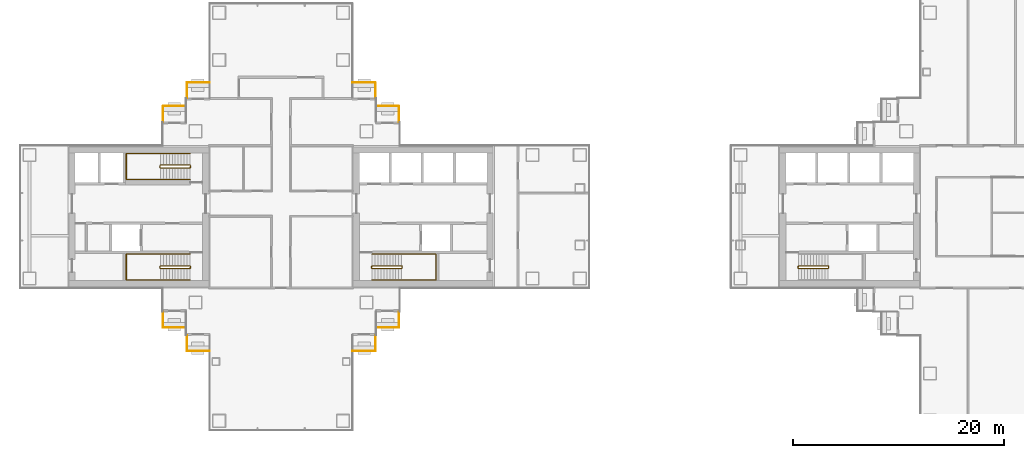
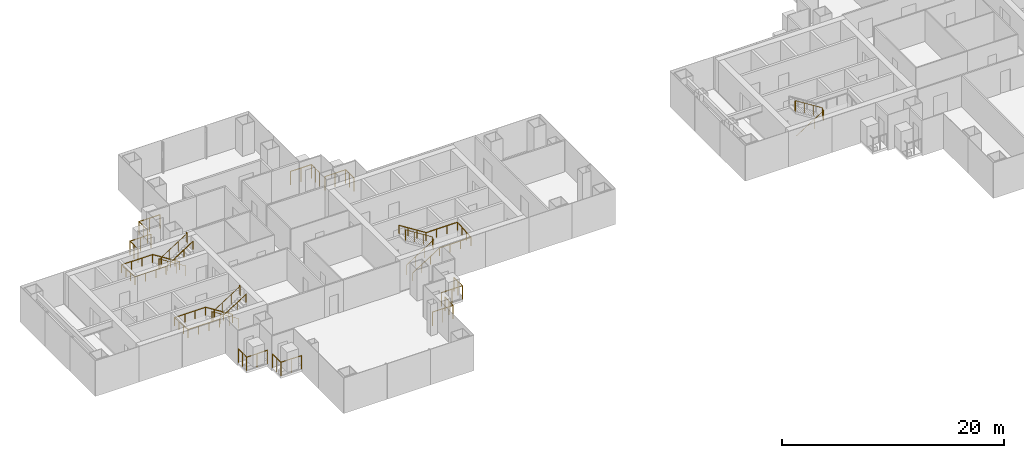
# One storey, part 18 of 20: 15 railings.
"""IFC4 building model written with IfcOpenShell, lengths in metres."""

from ifc_helpers import new_model, si_unit, direction, frame, origin, origin_2d, place, context, subcontext, project, spatial, circle, extrude, material, type_object, element, save


model = new_model("IFC4")

# Units and contexts
model_context = context("Model", 3, precision=1e-05, world=origin(), true_north=direction((0.0, 1.0)))
body_context = subcontext(model_context, "Body", "Model", "MODEL_VIEW")
ifc_project = project(units=[si_unit("LENGTHUNIT", "METRE"), si_unit("AREAUNIT", "SQUARE_METRE"), si_unit("VOLUMEUNIT", "CUBIC_METRE"), si_unit("PLANEANGLEUNIT", "RADIAN"), si_unit("MASSUNIT", "GRAM", prefix="KILO")], contexts=[model_context])

# Site, building, storey
site_placement = place(None, origin())
site = spatial("IfcSite", under=ifc_project, at=site_placement, CompositionType="ELEMENT")
building_placement = place(site_placement, origin())
building = spatial("IfcBuilding", under=site, at=building_placement, Name="Shamsa Quay Exchange Towers", CompositionType="ELEMENT")
storey_placement = place(building_placement, frame((0.0, 0.0, 124.800048828125)))
storey = spatial("IfcBuildingStorey", under=building, at=storey_placement, Name="L29", CompositionType="ELEMENT", Elevation=124.800048828125)

# Railings
ifc_material_1 = material(Name="Steel S355, black powder-coated", Category="steel")
railing_type_1 = type_object("IfcRailingType", Name="BALCONY GUARD 1500", PredefinedType="GUARDRAIL", material=ifc_material_1)
for number, where, name in (
    (1, (-22.550048828125, 9.02099609375, 0.0), "Balcony guard T1-PKEN L29"),
    (2, (-24.800048828125, 11.27099609375, 0.0), "Balcony guard T1-PKEN L29"),
):
    element("IfcRailing", number, at=place(storey_placement, frame(where)), inside=storey, type_object=railing_type_1, Name=name, PredefinedType="GUARDRAIL", context=body_context, shape_type="SweptSolid", body=[
        extrude(circle(Radius=0.02392578125, at=origin_2d()), frame((0.0, 0.0, 1.47607421875), z_axis=(0.0, 1.0, 0.0), x_axis=(-1.0, 0.0, 0.0)), (0.0, 0.0, 1.0), 1.47900390625),
        extrude(circle(Radius=0.02392578125, at=origin_2d()), frame((0.0, 1.47900390625, 1.47607421875), z_axis=(-1.0, 0.0, 0.0), x_axis=(0.0, -1.0, 0.0)), (0.0, 0.0, 1.0), 2.161865234375),
        extrude(circle(Radius=0.02099609375, at=origin_2d()), origin(), (0.0, 0.0, 1.0), 1.451904296875),
        extrude(circle(Radius=0.02099609375, at=origin_2d()), frame((0.0, 0.739501953125, 0.0)), (0.0, 0.0, 1.0), 1.451904296875),
        extrude(circle(Radius=0.02099609375, at=origin_2d()), frame((0.0, 1.47900390625, 0.0)), (0.0, 0.0, 1.0), 1.451904296875),
        extrude(circle(Radius=0.02099609375, at=origin_2d()), frame((-1.0810546875, 1.47900390625, 0.0)), (0.0, 0.0, 1.0), 1.451904296875),
        extrude(circle(Radius=0.02099609375, at=origin_2d()), frame((-2.161865234375, 1.47900390625, 0.0)), (0.0, 0.0, 1.0), 1.451904296875),
    ])
for number, where, name in (
    (3, (-24.7119140625, -10.5, 0.0), "Balcony guard T1-PKES L29"),
    (4, (-26.9619140625, -12.75, 0.0), "Balcony guard T1-PKES L29"),
):
    element("IfcRailing", number, at=place(storey_placement, frame(where)), inside=storey, type_object=railing_type_1, Name=name, PredefinedType="GUARDRAIL", context=body_context, shape_type="SweptSolid", body=[
        extrude(circle(Radius=0.02392578125, at=origin_2d()), frame((0.0, 0.0, 1.47607421875), z_axis=(1.0, 0.0, 0.0), x_axis=(0.0, 1.0, 0.0)), (0.0, 0.0, 1.0), 2.161865234375),
        extrude(circle(Radius=0.02392578125, at=origin_2d()), frame((2.161865234375, 0.0, 1.47607421875), z_axis=(0.0, 1.0, 0.0), x_axis=(-1.0, 0.0, 0.0)), (0.0, 0.0, 1.0), 1.47900390625),
        extrude(circle(Radius=0.02099609375, at=origin_2d()), origin(), (0.0, 0.0, 1.0), 1.451904296875),
        extrude(circle(Radius=0.02099609375, at=origin_2d()), frame((1.0810546875, 0.0, 0.0)), (0.0, 0.0, 1.0), 1.451904296875),
        extrude(circle(Radius=0.02099609375, at=origin_2d()), frame((2.161865234375, 0.0, 0.0)), (0.0, 0.0, 1.0), 1.451904296875),
        extrude(circle(Radius=0.02099609375, at=origin_2d()), frame((2.161865234375, 0.739501953125, 0.0)), (0.0, 0.0, 1.0), 1.451904296875),
        extrude(circle(Radius=0.02099609375, at=origin_2d()), frame((2.161865234375, 1.47900390625, 0.0)), (0.0, 0.0, 1.0), 1.451904296875),
    ])
for number, where, name in (
    (5, (-40.5380859375, 12.75, 0.0), "Balcony guard T1-PKWN L29"),
    (6, (-42.7880859375, 10.5, 0.0), "Balcony guard T1-PKWN L29"),
):
    element("IfcRailing", number, at=place(storey_placement, frame(where)), inside=storey, type_object=railing_type_1, Name=name, PredefinedType="GUARDRAIL", context=body_context, shape_type="SweptSolid", body=[
        extrude(circle(Radius=0.02392578125, at=origin_2d()), frame((0.0, 0.0, 1.47607421875), z_axis=(-1.0, 0.0, 0.0), x_axis=(0.0, -1.0, 0.0)), (0.0, 0.0, 1.0), 2.161865234375),
        extrude(circle(Radius=0.02392578125, at=origin_2d()), frame((-2.161865234375, 0.0, 1.47607421875), z_axis=(0.0, -1.0, 0.0), x_axis=(1.0, 0.0, 0.0)), (0.0, 0.0, 1.0), 1.47900390625),
        extrude(circle(Radius=0.02099609375, at=origin_2d()), origin(), (0.0, 0.0, 1.0), 1.451904296875),
        extrude(circle(Radius=0.02099609375, at=origin_2d()), frame((-1.0810546875, 0.0, 0.0)), (0.0, 0.0, 1.0), 1.451904296875),
        extrude(circle(Radius=0.02099609375, at=origin_2d()), frame((-2.161865234375, 0.0, 0.0)), (0.0, 0.0, 1.0), 1.451904296875),
        extrude(circle(Radius=0.02099609375, at=origin_2d()), frame((-2.161865234375, -0.739501953125, 0.0)), (0.0, 0.0, 1.0), 1.451904296875),
        extrude(circle(Radius=0.02099609375, at=origin_2d()), frame((-2.161865234375, -1.47900390625, 0.0)), (0.0, 0.0, 1.0), 1.451904296875),
    ])
for number, where, name in (
    (7, (-44.949951171875, -9.02099609375, 0.0), "Balcony guard T1-PKWS L29"),
    (8, (-42.699951171875, -11.27099609375, 0.0), "Balcony guard T1-PKWS L29"),
):
    element("IfcRailing", number, at=place(storey_placement, frame(where)), inside=storey, type_object=railing_type_1, Name=name, PredefinedType="GUARDRAIL", context=body_context, shape_type="SweptSolid", body=[
        extrude(circle(Radius=0.02392578125, at=origin_2d()), frame((0.0, 0.0, 1.47607421875), z_axis=(0.0, -1.0, 0.0), x_axis=(1.0, 0.0, 0.0)), (0.0, 0.0, 1.0), 1.47900390625),
        extrude(circle(Radius=0.02392578125, at=origin_2d()), frame((0.0, -1.47900390625, 1.47607421875), z_axis=(1.0, 0.0, 0.0), x_axis=(0.0, 1.0, 0.0)), (0.0, 0.0, 1.0), 2.161865234375),
        extrude(circle(Radius=0.02099609375, at=origin_2d()), origin(), (0.0, 0.0, 1.0), 1.451904296875),
        extrude(circle(Radius=0.02099609375, at=origin_2d()), frame((0.0, -0.739501953125, 0.0)), (0.0, 0.0, 1.0), 1.451904296875),
        extrude(circle(Radius=0.02099609375, at=origin_2d()), frame((0.0, -1.47900390625, 0.0)), (0.0, 0.0, 1.0), 1.451904296875),
        extrude(circle(Radius=0.02099609375, at=origin_2d()), frame((1.0810546875, -1.47900390625, 0.0)), (0.0, 0.0, 1.0), 1.451904296875),
        extrude(circle(Radius=0.02099609375, at=origin_2d()), frame((2.161865234375, -1.47900390625, 0.0)), (0.0, 0.0, 1.0), 1.451904296875),
    ])
ifc_material_2 = material(Name="Stainless steel", Category="steel")
railing_type_2 = type_object("IfcRailingType", Name="STAIR GUARD 1100", PredefinedType="GUARDRAIL", material=ifc_material_2)
railing_1_placement = place(storey_placement, frame((-25.10009765625, -4.89990234375, 0.17724609375)))
element("IfcRailing", 9, at=railing_1_placement, inside=storey, type_object=railing_type_2, Name="L29 ST1 stair guard 1", PredefinedType="GUARDRAIL", context=body_context, shape_type="SweptSolid", body=[
    extrude(circle(Radius=0.02392578125, at=origin_2d()), frame((0.0, 0.0, 1.076171875), z_axis=(0.844908973607, 0.0, 0.534910110503), x_axis=(0.0, 1.0, 0.0)), (0.0, 0.0, 1.0), 3.31396484375),
    extrude(circle(Radius=0.02392578125, at=origin_2d()), frame((2.800048828125, 0.0, 2.8486328125), z_axis=(0.708833529934, 0.705375805398, 0.0), x_axis=(-0.705375805398, 0.708833529934, 0.0)), (0.0, 0.0, 1.0), 0.070556640625),
    extrude(circle(Radius=0.02392578125, at=origin_2d()), frame((2.85009765625, 0.0498046875, 2.8486328125), z_axis=(0.0, 1.0, 0.0), x_axis=(-1.0, 0.0, 0.0)), (0.0, 0.0, 1.0), 0.150146484375),
    extrude(circle(Radius=0.02392578125, at=origin_2d()), frame((2.85009765625, 0.199951171875, 2.8486328125), z_axis=(-0.262233686654, 0.262233686654, 0.928691007369), x_axis=(-0.707106781187, -0.707106781187, 0.0)), (0.0, 0.0, 1.0), 0.19091796875),
    extrude(circle(Radius=0.02392578125, at=origin_2d()), frame((2.800048828125, 0.25, 3.02587890625), z_axis=(-0.844908973607, 0.0, 0.534910110503), x_axis=(0.0, -1.0, 0.0)), (0.0, 0.0, 1.0), 3.31396484375),
    extrude(circle(Radius=0.02392578125, at=origin_2d()), frame((0.0, 0.25, 4.798828125), z_axis=(-0.24142163986, -0.970420317083, 0.0), x_axis=(0.970420317083, -0.24142163986, 0.0)), (0.0, 0.0, 1.0), 0.206298828125),
    extrude(circle(Radius=0.02392578125, at=origin_2d()), frame((-0.0498046875, 0.0498046875, 4.798828125), z_axis=(0.0, 1.0, 0.0), x_axis=(-1.0, 0.0, 0.0)), (0.0, 0.0, 1.0), 0.150146484375),
    extrude(circle(Radius=0.02099609375, at=origin_2d()), origin(), (0.0, 0.0, 1.0), 1.052001953125),
    extrude(circle(Radius=0.02099609375, at=origin_2d()), frame((0.933349609375, 0.0, 0.5908203125)), (0.0, 0.0, 1.0), 1.052001953125),
    extrude(circle(Radius=0.02099609375, at=origin_2d()), frame((1.86669921875, 0.0, 1.181884765625)), (0.0, 0.0, 1.0), 1.052001953125),
    extrude(circle(Radius=0.02099609375, at=origin_2d()), frame((2.800048828125, 0.0, 1.772705078125)), (0.0, 0.0, 1.0), 1.052001953125),
    extrude(circle(Radius=0.02099609375, at=origin_2d()), frame((2.85009765625, 0.0498046875, 1.772705078125)), (0.0, 0.0, 1.0), 1.052001953125),
    extrude(circle(Radius=0.02099609375, at=origin_2d()), frame((2.85009765625, 0.199951171875, 1.772705078125)), (0.0, 0.0, 1.0), 1.052001953125),
    extrude(circle(Radius=0.02099609375, at=origin_2d()), frame((2.800048828125, 0.25, 1.949951171875)), (0.0, 0.0, 1.0), 1.052001953125),
    extrude(circle(Radius=0.02099609375, at=origin_2d()), frame((1.86669921875, 0.25, 2.540771484375)), (0.0, 0.0, 1.0), 1.052001953125),
    extrude(circle(Radius=0.02099609375, at=origin_2d()), frame((0.933349609375, 0.25, 3.1318359375)), (0.0, 0.0, 1.0), 1.052001953125),
    extrude(circle(Radius=0.02099609375, at=origin_2d()), frame((0.0, 0.25, 3.72265625)), (0.0, 0.0, 1.0), 1.052001953125),
    extrude(circle(Radius=0.02099609375, at=origin_2d()), frame((-0.0498046875, 0.0498046875, 3.72265625)), (0.0, 0.0, 1.0), 1.052001953125),
    extrude(circle(Radius=0.02099609375, at=origin_2d()), frame((-0.0498046875, 0.199951171875, 3.72265625)), (0.0, 0.0, 1.0), 1.052001953125),
])
railing_2_placement = place(storey_placement, frame((-42.39990234375, -4.64990234375, 0.17724609375)))
element("IfcRailing", 10, at=railing_2_placement, inside=storey, type_object=railing_type_2, Name="L29 ST2 stair guard 1", PredefinedType="GUARDRAIL", context=body_context, shape_type="SweptSolid", body=[
    extrude(circle(Radius=0.02392578125, at=origin_2d()), frame((0.0, 0.0, 1.076171875), z_axis=(-0.844908973607, 0.0, 0.534910110503), x_axis=(0.0, -1.0, 0.0)), (0.0, 0.0, 1.0), 3.31396484375),
    extrude(circle(Radius=0.02392578125, at=origin_2d()), frame((-2.800048828125, 0.0, 2.8486328125), z_axis=(-0.707106781187, -0.707106781187, 0.0), x_axis=(0.707106781187, -0.707106781187, 0.0)), (0.0, 0.0, 1.0), 0.07080078125),
    extrude(circle(Radius=0.02392578125, at=origin_2d()), frame((-2.85009765625, -0.050048828125, 2.8486328125), z_axis=(0.0, -1.0, 0.0), x_axis=(1.0, 0.0, 0.0)), (0.0, 0.0, 1.0), 0.150146484375),
    extrude(circle(Radius=0.02392578125, at=origin_2d()), frame((-2.85009765625, -0.2001953125, 2.8486328125), z_axis=(0.262321481514, -0.261041864531, 0.929001929653), x_axis=(0.705375805398, 0.708833529934, 0.0)), (0.0, 0.0, 1.0), 0.190673828125),
    extrude(circle(Radius=0.02392578125, at=origin_2d()), frame((-2.800048828125, -0.25, 3.02587890625), z_axis=(0.844908973607, 0.0, 0.534910110503), x_axis=(0.0, 1.0, 0.0)), (0.0, 0.0, 1.0), 3.31396484375),
    extrude(circle(Radius=0.02392578125, at=origin_2d()), frame((0.0, -0.25, 4.798828125), z_axis=(0.241699205484, 0.970351222016, 0.0), x_axis=(-0.970351222016, 0.241699205484, 0.0)), (0.0, 0.0, 1.0), 0.2060546875),
    extrude(circle(Radius=0.02392578125, at=origin_2d()), frame((0.0498046875, -0.050048828125, 4.798828125), z_axis=(0.0, -1.0, 0.0), x_axis=(1.0, 0.0, 0.0)), (0.0, 0.0, 1.0), 0.150146484375),
    extrude(circle(Radius=0.02099609375, at=origin_2d()), origin(), (0.0, 0.0, 1.0), 1.052001953125),
    extrude(circle(Radius=0.02099609375, at=origin_2d()), frame((-0.933349609375, 0.0, 0.5908203125)), (0.0, 0.0, 1.0), 1.052001953125),
    extrude(circle(Radius=0.02099609375, at=origin_2d()), frame((-1.86669921875, 0.0, 1.181884765625)), (0.0, 0.0, 1.0), 1.052001953125),
    extrude(circle(Radius=0.02099609375, at=origin_2d()), frame((-2.800048828125, 0.0, 1.772705078125)), (0.0, 0.0, 1.0), 1.052001953125),
    extrude(circle(Radius=0.02099609375, at=origin_2d()), frame((-2.85009765625, -0.050048828125, 1.772705078125)), (0.0, 0.0, 1.0), 1.052001953125),
    extrude(circle(Radius=0.02099609375, at=origin_2d()), frame((-2.85009765625, -0.2001953125, 1.772705078125)), (0.0, 0.0, 1.0), 1.052001953125),
    extrude(circle(Radius=0.02099609375, at=origin_2d()), frame((-2.800048828125, -0.25, 1.949951171875)), (0.0, 0.0, 1.0), 1.052001953125),
    extrude(circle(Radius=0.02099609375, at=origin_2d()), frame((-1.86669921875, -0.25, 2.540771484375)), (0.0, 0.0, 1.0), 1.052001953125),
    extrude(circle(Radius=0.02099609375, at=origin_2d()), frame((-0.933349609375, -0.25, 3.1318359375)), (0.0, 0.0, 1.0), 1.052001953125),
    extrude(circle(Radius=0.02099609375, at=origin_2d()), frame((0.0, -0.25, 3.72265625)), (0.0, 0.0, 1.0), 1.052001953125),
    extrude(circle(Radius=0.02099609375, at=origin_2d()), frame((0.0498046875, -0.050048828125, 3.72265625)), (0.0, 0.0, 1.0), 1.052001953125),
    extrude(circle(Radius=0.02099609375, at=origin_2d()), frame((0.0498046875, -0.2001953125, 3.72265625)), (0.0, 0.0, 1.0), 1.052001953125),
])
railing_3_placement = place(storey_placement, frame((-42.39990234375, 4.89990234375, 0.17724609375)))
element("IfcRailing", 11, at=railing_3_placement, inside=storey, type_object=railing_type_2, Name="L29 ST3 stair guard 1", PredefinedType="GUARDRAIL", context=body_context, shape_type="SweptSolid", body=[
    extrude(circle(Radius=0.02392578125, at=origin_2d()), frame((0.0, 0.0, 1.076171875), z_axis=(-0.844908973607, 0.0, 0.534910110503), x_axis=(0.0, -1.0, 0.0)), (0.0, 0.0, 1.0), 3.31396484375),
    extrude(circle(Radius=0.02392578125, at=origin_2d()), frame((-2.800048828125, 0.0, 2.8486328125), z_axis=(-0.708833529934, -0.705375805398, 0.0), x_axis=(0.705375805398, -0.708833529934, 0.0)), (0.0, 0.0, 1.0), 0.070556640625),
    extrude(circle(Radius=0.02392578125, at=origin_2d()), frame((-2.85009765625, -0.0498046875, 2.8486328125), z_axis=(0.0, -1.0, 0.0), x_axis=(1.0, 0.0, 0.0)), (0.0, 0.0, 1.0), 0.150146484375),
    extrude(circle(Radius=0.02392578125, at=origin_2d()), frame((-2.85009765625, -0.199951171875, 2.8486328125), z_axis=(0.262233686654, -0.262233686654, 0.928691007369), x_axis=(0.707106781187, 0.707106781187, 0.0)), (0.0, 0.0, 1.0), 0.19091796875),
    extrude(circle(Radius=0.02392578125, at=origin_2d()), frame((-2.800048828125, -0.25, 3.02587890625), z_axis=(0.844908973607, 0.0, 0.534910110503), x_axis=(0.0, 1.0, 0.0)), (0.0, 0.0, 1.0), 3.31396484375),
    extrude(circle(Radius=0.02392578125, at=origin_2d()), frame((0.0, -0.25, 4.798828125), z_axis=(0.24142163986, 0.970420317083, 0.0), x_axis=(-0.970420317083, 0.24142163986, 0.0)), (0.0, 0.0, 1.0), 0.206298828125),
    extrude(circle(Radius=0.02392578125, at=origin_2d()), frame((0.0498046875, -0.0498046875, 4.798828125), z_axis=(0.0, -1.0, 0.0), x_axis=(1.0, 0.0, 0.0)), (0.0, 0.0, 1.0), 0.150146484375),
    extrude(circle(Radius=0.02099609375, at=origin_2d()), origin(), (0.0, 0.0, 1.0), 1.052001953125),
    extrude(circle(Radius=0.02099609375, at=origin_2d()), frame((-0.933349609375, 0.0, 0.5908203125)), (0.0, 0.0, 1.0), 1.052001953125),
    extrude(circle(Radius=0.02099609375, at=origin_2d()), frame((-1.86669921875, 0.0, 1.181884765625)), (0.0, 0.0, 1.0), 1.052001953125),
    extrude(circle(Radius=0.02099609375, at=origin_2d()), frame((-2.800048828125, 0.0, 1.772705078125)), (0.0, 0.0, 1.0), 1.052001953125),
    extrude(circle(Radius=0.02099609375, at=origin_2d()), frame((-2.85009765625, -0.0498046875, 1.772705078125)), (0.0, 0.0, 1.0), 1.052001953125),
    extrude(circle(Radius=0.02099609375, at=origin_2d()), frame((-2.85009765625, -0.199951171875, 1.772705078125)), (0.0, 0.0, 1.0), 1.052001953125),
    extrude(circle(Radius=0.02099609375, at=origin_2d()), frame((-2.800048828125, -0.25, 1.949951171875)), (0.0, 0.0, 1.0), 1.052001953125),
    extrude(circle(Radius=0.02099609375, at=origin_2d()), frame((-1.86669921875, -0.25, 2.540771484375)), (0.0, 0.0, 1.0), 1.052001953125),
    extrude(circle(Radius=0.02099609375, at=origin_2d()), frame((-0.933349609375, -0.25, 3.1318359375)), (0.0, 0.0, 1.0), 1.052001953125),
    extrude(circle(Radius=0.02099609375, at=origin_2d()), frame((0.0, -0.25, 3.72265625)), (0.0, 0.0, 1.0), 1.052001953125),
    extrude(circle(Radius=0.02099609375, at=origin_2d()), frame((0.0498046875, -0.0498046875, 3.72265625)), (0.0, 0.0, 1.0), 1.052001953125),
    extrude(circle(Radius=0.02099609375, at=origin_2d()), frame((0.0498046875, -0.199951171875, 3.72265625)), (0.0, 0.0, 1.0), 1.052001953125),
])
railing_4_placement = place(storey_placement, frame((15.39990234375, -4.89990234375, 0.17724609375)))
element("IfcRailing", 12, at=railing_4_placement, inside=storey, type_object=railing_type_2, Name="L29 ST4 stair guard 1", PredefinedType="GUARDRAIL", context=body_context, shape_type="SweptSolid", body=[
    extrude(circle(Radius=0.02392578125, at=origin_2d()), frame((0.0, 0.0, 1.076171875), z_axis=(0.844908973607, 0.0, 0.534910110503), x_axis=(0.0, 1.0, 0.0)), (0.0, 0.0, 1.0), 3.31396484375),
    extrude(circle(Radius=0.02392578125, at=origin_2d()), frame((2.800048828125, 0.0, 2.8486328125), z_axis=(0.708833529934, 0.705375805398, 0.0), x_axis=(-0.705375805398, 0.708833529934, 0.0)), (0.0, 0.0, 1.0), 0.070556640625),
    extrude(circle(Radius=0.02392578125, at=origin_2d()), frame((2.85009765625, 0.0498046875, 2.8486328125), z_axis=(0.0, 1.0, 0.0), x_axis=(-1.0, 0.0, 0.0)), (0.0, 0.0, 1.0), 0.150146484375),
    extrude(circle(Radius=0.02392578125, at=origin_2d()), frame((2.85009765625, 0.199951171875, 2.8486328125), z_axis=(-0.262233686654, 0.262233686654, 0.928691007369), x_axis=(-0.707106781187, -0.707106781187, 0.0)), (0.0, 0.0, 1.0), 0.19091796875),
    extrude(circle(Radius=0.02392578125, at=origin_2d()), frame((2.800048828125, 0.25, 3.02587890625), z_axis=(-0.844908973607, 0.0, 0.534910110503), x_axis=(0.0, -1.0, 0.0)), (0.0, 0.0, 1.0), 3.31396484375),
    extrude(circle(Radius=0.02392578125, at=origin_2d()), frame((0.0, 0.25, 4.798828125), z_axis=(-0.24142163986, -0.970420317083, 0.0), x_axis=(0.970420317083, -0.24142163986, 0.0)), (0.0, 0.0, 1.0), 0.206298828125),
    extrude(circle(Radius=0.02392578125, at=origin_2d()), frame((-0.0498046875, 0.0498046875, 4.798828125), z_axis=(0.0, 1.0, 0.0), x_axis=(-1.0, 0.0, 0.0)), (0.0, 0.0, 1.0), 0.150146484375),
    extrude(circle(Radius=0.02099609375, at=origin_2d()), origin(), (0.0, 0.0, 1.0), 1.052001953125),
    extrude(circle(Radius=0.02099609375, at=origin_2d()), frame((0.933349609375, 0.0, 0.5908203125)), (0.0, 0.0, 1.0), 1.052001953125),
    extrude(circle(Radius=0.02099609375, at=origin_2d()), frame((1.86669921875, 0.0, 1.181884765625)), (0.0, 0.0, 1.0), 1.052001953125),
    extrude(circle(Radius=0.02099609375, at=origin_2d()), frame((2.800048828125, 0.0, 1.772705078125)), (0.0, 0.0, 1.0), 1.052001953125),
    extrude(circle(Radius=0.02099609375, at=origin_2d()), frame((2.85009765625, 0.0498046875, 1.772705078125)), (0.0, 0.0, 1.0), 1.052001953125),
    extrude(circle(Radius=0.02099609375, at=origin_2d()), frame((2.85009765625, 0.199951171875, 1.772705078125)), (0.0, 0.0, 1.0), 1.052001953125),
    extrude(circle(Radius=0.02099609375, at=origin_2d()), frame((2.800048828125, 0.25, 1.949951171875)), (0.0, 0.0, 1.0), 1.052001953125),
    extrude(circle(Radius=0.02099609375, at=origin_2d()), frame((1.86669921875, 0.25, 2.540771484375)), (0.0, 0.0, 1.0), 1.052001953125),
    extrude(circle(Radius=0.02099609375, at=origin_2d()), frame((0.933349609375, 0.25, 3.1318359375)), (0.0, 0.0, 1.0), 1.052001953125),
    extrude(circle(Radius=0.02099609375, at=origin_2d()), frame((0.0, 0.25, 3.72265625)), (0.0, 0.0, 1.0), 1.052001953125),
    extrude(circle(Radius=0.02099609375, at=origin_2d()), frame((-0.0498046875, 0.0498046875, 3.72265625)), (0.0, 0.0, 1.0), 1.052001953125),
    extrude(circle(Radius=0.02099609375, at=origin_2d()), frame((-0.0498046875, 0.199951171875, 3.72265625)), (0.0, 0.0, 1.0), 1.052001953125),
])
railing_type_3 = type_object("IfcRailingType", Name="STAIR HANDRAIL 900", PredefinedType="HANDRAIL", material=ifc_material_2)
railing_5_placement = place(storey_placement, frame((-25.10009765625, -6.0, 0.17724609375)))
element("IfcRailing", 13, at=railing_5_placement, inside=storey, type_object=railing_type_3, Name="L29 ST1 stair handrail 1", PredefinedType="HANDRAIL", context=body_context, shape_type="SweptSolid", body=[
    extrude(circle(Radius=0.02392578125, at=origin_2d()), frame((0.0, 0.0, 0.8759765625), z_axis=(0.844908973607, 0.0, 0.534910110503), x_axis=(0.0, 1.0, 0.0)), (0.0, 0.0, 1.0), 3.31396484375),
    extrude(circle(Radius=0.02392578125, at=origin_2d()), frame((2.800048828125, 0.0, 2.6484375), z_axis=(1.0, 0.0, 0.0), x_axis=(0.0, 1.0, 0.0)), (0.0, 0.0, 1.0), 3.25),
    extrude(circle(Radius=0.02392578125, at=origin_2d()), frame((6.050048828125, 0.0, 2.6484375), z_axis=(0.0, 0.997393199914, 0.07215819264), x_axis=(-1.0, 0.0, 0.0)), (0.0, 0.0, 1.0), 2.456298828125),
    extrude(circle(Radius=0.02392578125, at=origin_2d()), frame((6.050048828125, 2.449951171875, 2.82568359375), z_axis=(-1.0, 0.0, 0.0), x_axis=(0.0, -1.0, 0.0)), (0.0, 0.0, 1.0), 3.25),
    extrude(circle(Radius=0.02392578125, at=origin_2d()), frame((2.800048828125, 2.449951171875, 2.82568359375), z_axis=(-0.844908973607, 0.0, 0.534910110503), x_axis=(0.0, -1.0, 0.0)), (0.0, 0.0, 1.0), 3.31396484375),
    extrude(circle(Radius=0.02099609375, at=origin_2d()), origin(), (0.0, 0.0, 1.0), 0.851806640625),
    extrude(circle(Radius=0.02099609375, at=origin_2d()), frame((0.933349609375, 0.0, 0.5908203125)), (0.0, 0.0, 1.0), 0.851806640625),
    extrude(circle(Radius=0.02099609375, at=origin_2d()), frame((1.86669921875, 0.0, 1.181884765625)), (0.0, 0.0, 1.0), 0.851806640625),
    extrude(circle(Radius=0.02099609375, at=origin_2d()), frame((2.800048828125, 0.0, 1.772705078125)), (0.0, 0.0, 1.0), 0.851806640625),
    extrude(circle(Radius=0.02099609375, at=origin_2d()), frame((3.88330078125, 0.0, 1.772705078125)), (0.0, 0.0, 1.0), 0.851806640625),
    extrude(circle(Radius=0.02099609375, at=origin_2d()), frame((4.966796875, 0.0, 1.772705078125)), (0.0, 0.0, 1.0), 0.851806640625),
    extrude(circle(Radius=0.02099609375, at=origin_2d()), frame((6.050048828125, 0.0, 1.772705078125)), (0.0, 0.0, 1.0), 0.851806640625),
    extrude(circle(Radius=0.02099609375, at=origin_2d()), frame((6.050048828125, 0.816650390625, 1.831787109375)), (0.0, 0.0, 1.0), 0.851806640625),
    extrude(circle(Radius=0.02099609375, at=origin_2d()), frame((6.050048828125, 1.63330078125, 1.890869140625)), (0.0, 0.0, 1.0), 0.851806640625),
    extrude(circle(Radius=0.02099609375, at=origin_2d()), frame((6.050048828125, 2.449951171875, 1.949951171875)), (0.0, 0.0, 1.0), 0.851806640625),
    extrude(circle(Radius=0.02099609375, at=origin_2d()), frame((4.966796875, 2.449951171875, 1.949951171875)), (0.0, 0.0, 1.0), 0.851806640625),
    extrude(circle(Radius=0.02099609375, at=origin_2d()), frame((3.88330078125, 2.449951171875, 1.949951171875)), (0.0, 0.0, 1.0), 0.851806640625),
    extrude(circle(Radius=0.02099609375, at=origin_2d()), frame((2.800048828125, 2.449951171875, 1.949951171875)), (0.0, 0.0, 1.0), 0.851806640625),
    extrude(circle(Radius=0.02099609375, at=origin_2d()), frame((1.86669921875, 2.449951171875, 2.540771484375)), (0.0, 0.0, 1.0), 0.851806640625),
    extrude(circle(Radius=0.02099609375, at=origin_2d()), frame((0.933349609375, 2.449951171875, 3.1318359375)), (0.0, 0.0, 1.0), 0.851806640625),
    extrude(circle(Radius=0.02099609375, at=origin_2d()), frame((0.0, 2.449951171875, 3.72265625)), (0.0, 0.0, 1.0), 0.851806640625),
])
railing_6_placement = place(storey_placement, frame((-42.39990234375, -3.550048828125, 0.17724609375)))
element("IfcRailing", 14, at=railing_6_placement, inside=storey, type_object=railing_type_3, Name="L29 ST2 stair handrail 1", PredefinedType="HANDRAIL", context=body_context, shape_type="SweptSolid", body=[
    extrude(circle(Radius=0.02392578125, at=origin_2d()), frame((0.0, 0.0, 0.8759765625), z_axis=(-0.844908973607, 0.0, 0.534910110503), x_axis=(0.0, -1.0, 0.0)), (0.0, 0.0, 1.0), 3.31396484375),
    extrude(circle(Radius=0.02392578125, at=origin_2d()), frame((-2.800048828125, 0.0, 2.6484375), z_axis=(-1.0, 0.0, 0.0), x_axis=(0.0, -1.0, 0.0)), (0.0, 0.0, 1.0), 3.25),
    extrude(circle(Radius=0.02392578125, at=origin_2d()), frame((-6.050048828125, 0.0, 2.6484375), z_axis=(0.0, -0.997393199914, 0.07215819264), x_axis=(1.0, 0.0, 0.0)), (0.0, 0.0, 1.0), 2.456298828125),
    extrude(circle(Radius=0.02392578125, at=origin_2d()), frame((-6.050048828125, -2.449951171875, 2.82568359375), z_axis=(1.0, 0.0, 0.0), x_axis=(0.0, 1.0, 0.0)), (0.0, 0.0, 1.0), 3.25),
    extrude(circle(Radius=0.02392578125, at=origin_2d()), frame((-2.800048828125, -2.449951171875, 2.82568359375), z_axis=(0.844908973607, 0.0, 0.534910110503), x_axis=(0.0, 1.0, 0.0)), (0.0, 0.0, 1.0), 3.31396484375),
    extrude(circle(Radius=0.02099609375, at=origin_2d()), origin(), (0.0, 0.0, 1.0), 0.851806640625),
    extrude(circle(Radius=0.02099609375, at=origin_2d()), frame((-0.933349609375, 0.0, 0.5908203125)), (0.0, 0.0, 1.0), 0.851806640625),
    extrude(circle(Radius=0.02099609375, at=origin_2d()), frame((-1.86669921875, 0.0, 1.181884765625)), (0.0, 0.0, 1.0), 0.851806640625),
    extrude(circle(Radius=0.02099609375, at=origin_2d()), frame((-2.800048828125, 0.0, 1.772705078125)), (0.0, 0.0, 1.0), 0.851806640625),
    extrude(circle(Radius=0.02099609375, at=origin_2d()), frame((-3.88330078125, 0.0, 1.772705078125)), (0.0, 0.0, 1.0), 0.851806640625),
    extrude(circle(Radius=0.02099609375, at=origin_2d()), frame((-4.966796875, 0.0, 1.772705078125)), (0.0, 0.0, 1.0), 0.851806640625),
    extrude(circle(Radius=0.02099609375, at=origin_2d()), frame((-6.050048828125, 0.0, 1.772705078125)), (0.0, 0.0, 1.0), 0.851806640625),
    extrude(circle(Radius=0.02099609375, at=origin_2d()), frame((-6.050048828125, -0.816650390625, 1.831787109375)), (0.0, 0.0, 1.0), 0.851806640625),
    extrude(circle(Radius=0.02099609375, at=origin_2d()), frame((-6.050048828125, -1.63330078125, 1.890869140625)), (0.0, 0.0, 1.0), 0.851806640625),
    extrude(circle(Radius=0.02099609375, at=origin_2d()), frame((-6.050048828125, -2.449951171875, 1.949951171875)), (0.0, 0.0, 1.0), 0.851806640625),
    extrude(circle(Radius=0.02099609375, at=origin_2d()), frame((-4.966796875, -2.449951171875, 1.949951171875)), (0.0, 0.0, 1.0), 0.851806640625),
    extrude(circle(Radius=0.02099609375, at=origin_2d()), frame((-3.88330078125, -2.449951171875, 1.949951171875)), (0.0, 0.0, 1.0), 0.851806640625),
    extrude(circle(Radius=0.02099609375, at=origin_2d()), frame((-2.800048828125, -2.449951171875, 1.949951171875)), (0.0, 0.0, 1.0), 0.851806640625),
    extrude(circle(Radius=0.02099609375, at=origin_2d()), frame((-1.86669921875, -2.449951171875, 2.540771484375)), (0.0, 0.0, 1.0), 0.851806640625),
    extrude(circle(Radius=0.02099609375, at=origin_2d()), frame((-0.933349609375, -2.449951171875, 3.1318359375)), (0.0, 0.0, 1.0), 0.851806640625),
    extrude(circle(Radius=0.02099609375, at=origin_2d()), frame((0.0, -2.449951171875, 3.72265625)), (0.0, 0.0, 1.0), 0.851806640625),
])
railing_7_placement = place(storey_placement, frame((-42.39990234375, 6.0, 0.17724609375)))
element("IfcRailing", 15, at=railing_7_placement, inside=storey, type_object=railing_type_3, Name="L29 ST3 stair handrail 1", PredefinedType="HANDRAIL", context=body_context, shape_type="SweptSolid", body=[
    extrude(circle(Radius=0.02392578125, at=origin_2d()), frame((0.0, 0.0, 0.8759765625), z_axis=(-0.844908973607, 0.0, 0.534910110503), x_axis=(0.0, -1.0, 0.0)), (0.0, 0.0, 1.0), 3.31396484375),
    extrude(circle(Radius=0.02392578125, at=origin_2d()), frame((-2.800048828125, 0.0, 2.6484375), z_axis=(-1.0, 0.0, 0.0), x_axis=(0.0, -1.0, 0.0)), (0.0, 0.0, 1.0), 3.25),
    extrude(circle(Radius=0.02392578125, at=origin_2d()), frame((-6.050048828125, 0.0, 2.6484375), z_axis=(0.0, -0.997393199914, 0.07215819264), x_axis=(1.0, 0.0, 0.0)), (0.0, 0.0, 1.0), 2.456298828125),
    extrude(circle(Radius=0.02392578125, at=origin_2d()), frame((-6.050048828125, -2.449951171875, 2.82568359375), z_axis=(1.0, 0.0, 0.0), x_axis=(0.0, 1.0, 0.0)), (0.0, 0.0, 1.0), 3.25),
    extrude(circle(Radius=0.02392578125, at=origin_2d()), frame((-2.800048828125, -2.449951171875, 2.82568359375), z_axis=(0.844908973607, 0.0, 0.534910110503), x_axis=(0.0, 1.0, 0.0)), (0.0, 0.0, 1.0), 3.31396484375),
    extrude(circle(Radius=0.02099609375, at=origin_2d()), origin(), (0.0, 0.0, 1.0), 0.851806640625),
    extrude(circle(Radius=0.02099609375, at=origin_2d()), frame((-0.933349609375, 0.0, 0.5908203125)), (0.0, 0.0, 1.0), 0.851806640625),
    extrude(circle(Radius=0.02099609375, at=origin_2d()), frame((-1.86669921875, 0.0, 1.181884765625)), (0.0, 0.0, 1.0), 0.851806640625),
    extrude(circle(Radius=0.02099609375, at=origin_2d()), frame((-2.800048828125, 0.0, 1.772705078125)), (0.0, 0.0, 1.0), 0.851806640625),
    extrude(circle(Radius=0.02099609375, at=origin_2d()), frame((-3.88330078125, 0.0, 1.772705078125)), (0.0, 0.0, 1.0), 0.851806640625),
    extrude(circle(Radius=0.02099609375, at=origin_2d()), frame((-4.966796875, 0.0, 1.772705078125)), (0.0, 0.0, 1.0), 0.851806640625),
    extrude(circle(Radius=0.02099609375, at=origin_2d()), frame((-6.050048828125, 0.0, 1.772705078125)), (0.0, 0.0, 1.0), 0.851806640625),
    extrude(circle(Radius=0.02099609375, at=origin_2d()), frame((-6.050048828125, -0.816650390625, 1.831787109375)), (0.0, 0.0, 1.0), 0.851806640625),
    extrude(circle(Radius=0.02099609375, at=origin_2d()), frame((-6.050048828125, -1.63330078125, 1.890869140625)), (0.0, 0.0, 1.0), 0.851806640625),
    extrude(circle(Radius=0.02099609375, at=origin_2d()), frame((-6.050048828125, -2.449951171875, 1.949951171875)), (0.0, 0.0, 1.0), 0.851806640625),
    extrude(circle(Radius=0.02099609375, at=origin_2d()), frame((-4.966796875, -2.449951171875, 1.949951171875)), (0.0, 0.0, 1.0), 0.851806640625),
    extrude(circle(Radius=0.02099609375, at=origin_2d()), frame((-3.88330078125, -2.449951171875, 1.949951171875)), (0.0, 0.0, 1.0), 0.851806640625),
    extrude(circle(Radius=0.02099609375, at=origin_2d()), frame((-2.800048828125, -2.449951171875, 1.949951171875)), (0.0, 0.0, 1.0), 0.851806640625),
    extrude(circle(Radius=0.02099609375, at=origin_2d()), frame((-1.86669921875, -2.449951171875, 2.540771484375)), (0.0, 0.0, 1.0), 0.851806640625),
    extrude(circle(Radius=0.02099609375, at=origin_2d()), frame((-0.933349609375, -2.449951171875, 3.1318359375)), (0.0, 0.0, 1.0), 0.851806640625),
    extrude(circle(Radius=0.02099609375, at=origin_2d()), frame((0.0, -2.449951171875, 3.72265625)), (0.0, 0.0, 1.0), 0.851806640625),
])

save(model, "model.ifc")
